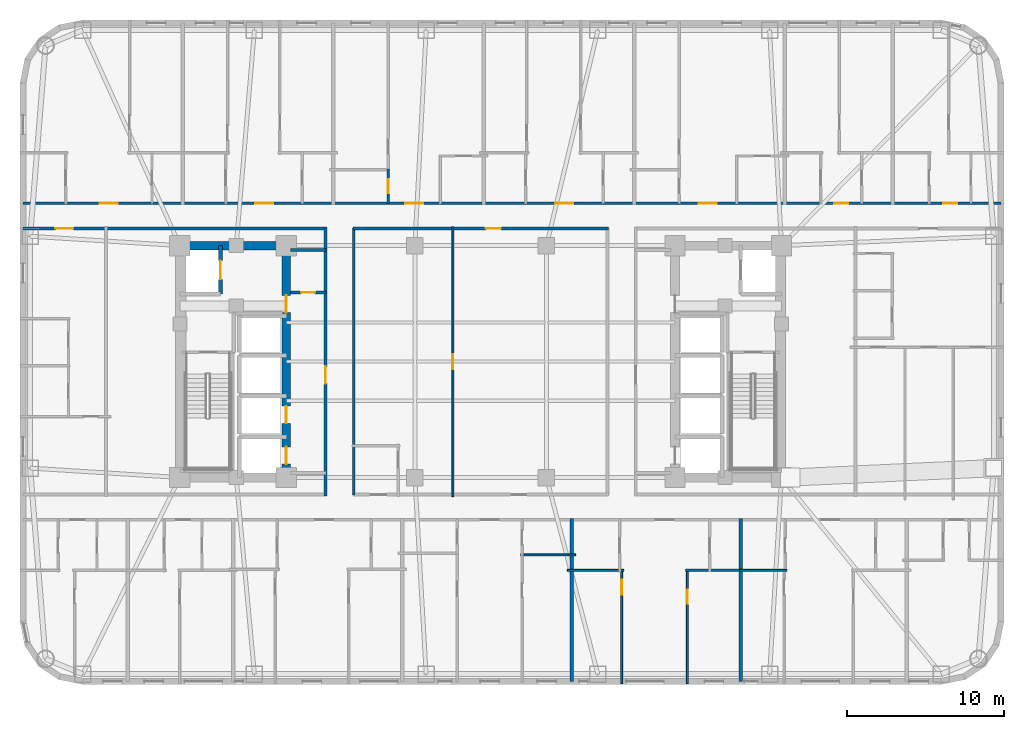
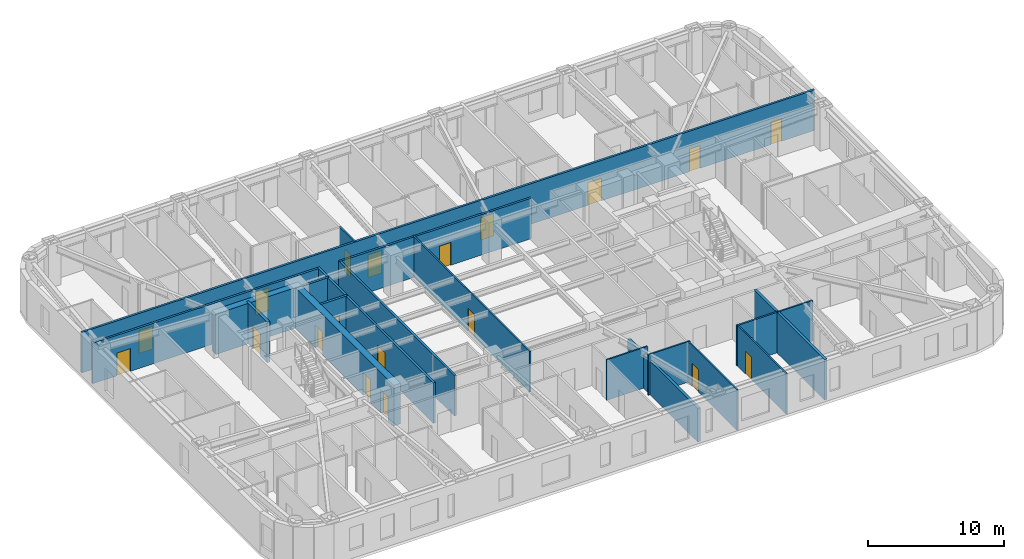
# One storey, part 5 of 11: 20 walls, 19 doors, 19 openings.
"""IFC4 building model written with IfcOpenShell, lengths in metres."""

from ifc_helpers import new_model, si_unit, direction, frame, frame_2d, origin, place, context, subcontext, project, spatial, rectangle, extrude, material, layer, layer_set, type_object, element, fill, save


model = new_model("IFC4")

# Units and contexts
model_context = context("Model", 3, precision=1e-05, world=origin(), true_north=direction((0.0, 1.0)))
body_context = subcontext(model_context, "Body", "Model", "MODEL_VIEW")
ifc_project = project(units=[si_unit("LENGTHUNIT", "METRE"), si_unit("AREAUNIT", "SQUARE_METRE"), si_unit("VOLUMEUNIT", "CUBIC_METRE"), si_unit("PLANEANGLEUNIT", "RADIAN"), si_unit("MASSUNIT", "GRAM", prefix="KILO")], contexts=[model_context])

# Site, building, storey
site_placement = place(None, origin())
site = spatial("IfcSite", under=ifc_project, at=site_placement, CompositionType="ELEMENT")
building_placement = place(site_placement, origin())
building = spatial("IfcBuilding", under=site, at=building_placement, Name="Voryun Gate Residences", CompositionType="ELEMENT")
storey_placement = place(building_placement, frame((0.0, 0.0, 97.5)))
storey = spatial("IfcBuildingStorey", under=building, at=storey_placement, Name="L23", CompositionType="ELEMENT", Elevation=97.5)

# Wall
ifc_material_1 = material(Name="Concrete C60/75", Category="concrete")
ifc_layer_1 = layer(ifc_material_1, 0.550048828125, Name="CW_CORE_550")
ifc_layer_set_1 = layer_set([ifc_layer_1], Name="Concrete C60/75")
wall_type_1 = type_object("IfcWallType", Name="CW_CORE_550", PredefinedType="SHEAR", material=ifc_layer_set_1)
wall_1_placement = place(storey_placement, frame((-19.47509765625, 7.39990234375, 0.0), z_axis=(0.0, 0.0, 1.0), x_axis=(1.0, 0.0, 0.0)))
element("IfcWall", 1, at=wall_1_placement, inside=storey, type_object=wall_type_1, Name="L23 Core shear wall CW-L23-WN", PredefinedType="SHEAR", context=body_context, shape_type="SweptSolid", body=[
    extrude(rectangle(XDim=7.35009765625, YDim=0.550048828125, at=frame_2d((3.675048828125, 0.0))), origin(), (0.0, 0.0, 1.0), 3.64990234375),
])

# Wall, openings, doors
wall_2_placement = place(storey_placement, frame((-12.39990234375, -7.39990234375, 0.0), z_axis=(0.0, 0.0, 1.0), x_axis=(0.0, 1.0, 0.0)))
wall_2 = element("IfcWall", 2, at=wall_2_placement, inside=storey, type_object=wall_type_1, Name="L23 Core shear wall CW-L23-WE", PredefinedType="SHEAR", context=body_context, shape_type="SweptSolid", body=[
    extrude(rectangle(XDim=14.7998046875, YDim=0.550048828125, at=frame_2d((7.39990234375, 0.0))), origin(), (0.0, 0.0, 1.0), 3.64990234375),
])
opening_1_placement = place(wall_2_placement, frame((0.85009765625, 0.0, 0.0)))
opening_1 = element("IfcOpeningElement", 3, at=opening_1_placement, cuts=wall_2, Name="Opening LD2", PredefinedType="OPENING", context=body_context, shape_type="SweptSolid", body=[
    extrude(rectangle(XDim=1.10009765625, YDim=2.050048828125, at=frame_2d((0.550048828125, 1.02490234375))), frame((0.0, 0.284912109375, 0.0), z_axis=(0.0, -1.0, 0.0), x_axis=(1.0, 0.0, 0.0)), (0.0, 0.0, 1.0), 0.570068359375),
])
opening_2_placement = place(wall_2_placement, frame((3.449951171875, 0.0, 0.0)))
opening_2 = element("IfcOpeningElement", 4, at=opening_2_placement, cuts=wall_2, Name="Opening LD2", PredefinedType="OPENING", context=body_context, shape_type="SweptSolid", body=[
    extrude(rectangle(XDim=1.10009765625, YDim=2.050048828125, at=frame_2d((0.550048828125, 1.02490234375))), frame((0.0, 0.284912109375, 0.0), z_axis=(0.0, -1.0, 0.0), x_axis=(1.0, 0.0, 0.0)), (0.0, 0.0, 1.0), 0.570068359375),
])
opening_3_placement = place(wall_2_placement, frame((10.530029296875, 0.0, 0.0)))
opening_3 = element("IfcOpeningElement", 5, at=opening_3_placement, cuts=wall_2, Name="Opening D-FD60-2", PredefinedType="OPENING", context=body_context, shape_type="SweptSolid", body=[
    extrude(rectangle(XDim=1.10009765625, YDim=2.050048828125, at=frame_2d((0.550048828125, 1.02490234375))), frame((0.0, 0.284912109375, 0.0), z_axis=(0.0, -1.0, 0.0), x_axis=(1.0, 0.0, 0.0)), (0.0, 0.0, 1.0), 0.570068359375),
])
ifc_material_2 = material(Name="Painted steel fire door", Category="steel")
door_type_1 = type_object("IfcDoorType", Name="DR_FD60_FFLOB_1100", OperationType="NOTDEFINED", PredefinedType="DOOR", material=ifc_material_2)
door_1_placement = place(opening_3_placement, origin())
door_1 = element("IfcDoor", 6, at=door_1_placement, inside=storey, type_object=door_type_1, Name="Door DR-L23-CLOB-W", OperationType="SINGLE_SWING_LEFT", OverallHeight=2.050048828125, OverallWidth=1.10009765625, PredefinedType="DOOR", context=body_context, shape_type="SweptSolid", body=[
    extrude(rectangle(XDim=1.10009765625, YDim=2.050048828125, at=frame_2d((0.550048828125, 1.02490234375))), frame((0.0, 0.02490234375, 0.0), z_axis=(0.0, -1.0, 0.0), x_axis=(1.0, 0.0, 0.0)), (0.0, 0.0, 1.0), 0.050048828125),
])
fill(opening_3, door_1)
ifc_material_3 = material(Name="Anodised aluminium", Category="aluminium")
door_type_2 = type_object("IfcDoorType", Name="DR_LD_PASS_1100", OperationType="NOTDEFINED", PredefinedType="DOOR", material=ifc_material_3)
door_2_placement = place(opening_1_placement, origin())
door_2 = element("IfcDoor", 7, at=door_2_placement, inside=storey, type_object=door_type_2, Name="Lift EL-P1 sliding landing door L23", OperationType="SLIDING_TO_LEFT", OverallHeight=2.050048828125, OverallWidth=1.10009765625, PredefinedType="DOOR", context=body_context, shape_type="SweptSolid", body=[
    extrude(rectangle(XDim=1.10009765625, YDim=2.050048828125, at=frame_2d((0.550048828125, 1.02490234375))), frame((0.0, 0.02490234375, 0.0), z_axis=(0.0, -1.0, 0.0), x_axis=(1.0, 0.0, 0.0)), (0.0, 0.0, 1.0), 0.050048828125),
])
fill(opening_1, door_2)
door_3_placement = place(opening_2_placement, origin())
door_3 = element("IfcDoor", 8, at=door_3_placement, inside=storey, type_object=door_type_2, Name="Lift EL-P2 sliding landing door L23", OperationType="SLIDING_TO_LEFT", OverallHeight=2.050048828125, OverallWidth=1.10009765625, PredefinedType="DOOR", context=body_context, shape_type="SweptSolid", body=[
    extrude(rectangle(XDim=1.10009765625, YDim=2.050048828125, at=frame_2d((0.550048828125, 1.02490234375))), frame((0.0, 0.02490234375, 0.0), z_axis=(0.0, -1.0, 0.0), x_axis=(1.0, 0.0, 0.0)), (0.0, 0.0, 1.0), 0.050048828125),
])
fill(opening_2, door_3)

# Wall
ifc_material_4 = material(Name="Gypsum acoustic fireboard")
ifc_layer_2 = layer(ifc_material_4, 0.179931640625, Name="W_CORR_RATED_180")
ifc_layer_set_2 = layer_set([ifc_layer_2], Name="Gypsum acoustic fireboard")
wall_type_2 = type_object("IfcWallType", Name="W_CORR_RATED_180", PredefinedType="PARTITIONING", material=ifc_layer_set_2)
wall_3_placement = place(storey_placement, frame((-12.14990234375, 7.1201171875, 0.0), z_axis=(0.0, 0.0, 1.0), x_axis=(1.0, 0.0, 0.0)))
element("IfcWall", 9, at=wall_3_placement, inside=storey, type_object=wall_type_2, Name="Partition wall WP-L23-PLBN-W", PredefinedType="PARTITIONING", context=body_context, shape_type="SweptSolid", body=[
    extrude(rectangle(XDim=2.27001953125, YDim=0.179931640625, at=frame_2d((1.135009765625, 0.0))), origin(), (0.0, 0.0, 1.0), 3.64990234375),
])

# Wall, opening, door
wall_4_placement = place(storey_placement, frame((-9.89990234375, -8.580078125, 0.0), z_axis=(0.0, 0.0, 1.0), x_axis=(0.0, 1.0, 0.0)))
wall_4 = element("IfcWall", 10, at=wall_4_placement, inside=storey, type_object=wall_type_2, Name="Partition wall WP-L23-PLBW-FULL", PredefinedType="PARTITIONING", context=body_context, shape_type="SweptSolid", body=[
    extrude(rectangle(XDim=17.16015625, YDim=0.179931640625, at=frame_2d((8.580078125, 0.0))), origin(), (0.0, 0.0, 1.0), 3.64990234375),
])
opening_4_placement = place(wall_4_placement, frame((7.172119140625, 0.0, 0.0)))
opening_4 = element("IfcOpeningElement", 11, at=opening_4_placement, cuts=wall_4, Name="Opening D-FD60-2", PredefinedType="OPENING", context=body_context, shape_type="SweptSolid", body=[
    extrude(rectangle(XDim=1.10009765625, YDim=2.050048828125, at=frame_2d((0.550048828125, 1.02490234375))), frame((0.0, 0.099853515625, 0.0), z_axis=(0.0, -1.0, 0.0), x_axis=(1.0, 0.0, 0.0)), (0.0, 0.0, 1.0), 0.199951171875),
])
door_4_placement = place(opening_4_placement, origin())
door_4 = element("IfcDoor", 12, at=door_4_placement, inside=storey, type_object=door_type_1, Name="Door DR-L23-PLBW-COR", OperationType="SINGLE_SWING_LEFT", OverallHeight=2.050048828125, OverallWidth=1.10009765625, PredefinedType="DOOR", context=body_context, shape_type="SweptSolid", body=[
    extrude(rectangle(XDim=1.10009765625, YDim=2.050048828125, at=frame_2d((0.550048828125, 1.02490234375))), frame((0.0, 0.02490234375, 0.0), z_axis=(0.0, -1.0, 0.0), x_axis=(1.0, 0.0, 0.0)), (0.0, 0.0, 1.0), 0.050048828125),
])
fill(opening_4, door_4)

wall_5_placement = place(storey_placement, frame((-29.2099609375, 8.489990234375, 0.0), z_axis=(0.0, 0.0, 1.0), x_axis=(1.0, 0.0, 0.0)))
wall_5 = element("IfcWall", 13, at=wall_5_placement, inside=storey, type_object=wall_type_2, Name="Partition wall WP-L23-CWING-WN", PredefinedType="PARTITIONING", context=body_context, shape_type="SweptSolid", body=[
    extrude(rectangle(XDim=19.330078125, YDim=0.179931640625, at=frame_2d((9.6650390625, 0.0))), origin(), (0.0, 0.0, 1.0), 3.64990234375),
])
opening_5_placement = place(wall_5_placement, frame((2.0654296875, 0.0, 0.0)))
opening_5 = element("IfcOpeningElement", 14, at=opening_5_placement, cuts=wall_5, Name="Opening D-UNIT-1", PredefinedType="OPENING", context=body_context, shape_type="SweptSolid", body=[
    extrude(rectangle(XDim=1.14990234375, YDim=2.050048828125, at=frame_2d((0.574951171875, 1.02490234375))), frame((0.0, 0.099853515625, 0.0), z_axis=(0.0, -1.0, 0.0), x_axis=(1.0, 0.0, 0.0)), (0.0, 0.0, 1.0), 0.199951171875),
])
ifc_material_5 = material(Name="Armoured timber-clad fire door", Category="wood")
door_type_3 = type_object("IfcDoorType", Name="DR_UNIT_ENTRY_1150", OperationType="NOTDEFINED", PredefinedType="DOOR", material=ifc_material_5)
door_5_placement = place(opening_5_placement, origin())
door_5 = element("IfcDoor", 15, at=door_5_placement, inside=storey, type_object=door_type_3, Name="Door DR-L23-WE1N", OperationType="SINGLE_SWING_LEFT", OverallHeight=2.050048828125, OverallWidth=1.14990234375, PredefinedType="DOOR", context=body_context, shape_type="SweptSolid", body=[
    extrude(rectangle(XDim=1.14990234375, YDim=2.050048828125, at=frame_2d((0.574951171875, 1.02490234375))), frame((0.0, 0.02490234375, 0.0), z_axis=(0.0, -1.0, 0.0), x_axis=(1.0, 0.0, 0.0)), (0.0, 0.0, 1.0), 0.050048828125),
])
fill(opening_5, door_5)

wall_6_placement = place(storey_placement, frame((-8.14990234375, 8.489990234375, 0.0), z_axis=(0.0, 0.0, 1.0), x_axis=(1.0, 0.0, 0.0)))
wall_6 = element("IfcWall", 16, at=wall_6_placement, inside=storey, type_object=wall_type_2, Name="Partition wall WP-L23-Z1N", PredefinedType="PARTITIONING", context=body_context, shape_type="SweptSolid", body=[
    extrude(rectangle(XDim=16.2998046875, YDim=0.179931640625, at=frame_2d((8.14990234375, 0.0))), origin(), (0.0, 0.0, 1.0), 3.64990234375),
])
opening_6_placement = place(wall_6_placement, frame((8.489990234375, 0.0, 0.0)))
opening_6 = element("IfcOpeningElement", 17, at=opening_6_placement, cuts=wall_6, Name="Opening D-INT-1", PredefinedType="OPENING", context=body_context, shape_type="SweptSolid", body=[
    extrude(rectangle(XDim=0.949951171875, YDim=2.050048828125, at=frame_2d((0.47509765625, 1.02490234375))), frame((0.0, 0.099853515625, 0.0), z_axis=(0.0, -1.0, 0.0), x_axis=(1.0, 0.0, 0.0)), (0.0, 0.0, 1.0), 0.199951171875),
])
ifc_material_6 = material(Name="Architectural oak veneer")
door_type_4 = type_object("IfcDoorType", Name="DR_INT_ROOM_950", OperationType="NOTDEFINED", PredefinedType="DOOR", material=ifc_material_6)
door_6_placement = place(opening_6_placement, origin())
door_6 = element("IfcDoor", 18, at=door_6_placement, inside=storey, type_object=door_type_4, Name="Door DR-L23-CMIDZ1N", OperationType="SINGLE_SWING_LEFT", OverallHeight=2.050048828125, OverallWidth=0.949951171875, PredefinedType="DOOR", context=body_context, shape_type="SweptSolid", body=[
    extrude(rectangle(XDim=0.949951171875, YDim=2.050048828125, at=frame_2d((0.47509765625, 1.02490234375))), frame((0.0, 0.02490234375, 0.0), z_axis=(0.0, -1.0, 0.0), x_axis=(1.0, 0.0, 0.0)), (0.0, 0.0, 1.0), 0.050048828125),
])
fill(opening_6, door_6)

# Wall
wall_7_placement = place(storey_placement, frame((-8.10009765625, -8.530029296875, 0.0), z_axis=(0.0, 0.0, 1.0), x_axis=(0.0, 1.0, 0.0)))
element("IfcWall", 19, at=wall_7_placement, inside=storey, type_object=wall_type_2, Name="Partition wall WP-L23-Z1W", PredefinedType="PARTITIONING", context=body_context, shape_type="SweptSolid", body=[
    extrude(rectangle(XDim=17.06005859375, YDim=0.179931640625, at=frame_2d((8.530029296875, 0.0))), origin(), (0.0, 0.0, 1.0), 3.64990234375),
])

# Wall, openings, doors
wall_8_placement = place(storey_placement, frame((-29.2099609375, 10.10009765625, 0.0), z_axis=(0.0, 0.0, 1.0), x_axis=(1.0, 0.0, 0.0)))
wall_8 = element("IfcWall", 20, at=wall_8_placement, inside=storey, type_object=wall_type_2, Name="Partition wall WP-L23-NCORR", PredefinedType="PARTITIONING", context=body_context, shape_type="SweptSolid", body=[
    extrude(rectangle(XDim=62.419921875, YDim=0.179931640625, at=frame_2d((31.2099609375, 0.0))), origin(), (0.0, 0.0, 1.0), 3.64990234375),
])
opening_7_placement = place(wall_8_placement, frame((4.905517578125, 0.0, 0.0)))
opening_7 = element("IfcOpeningElement", 21, at=opening_7_placement, cuts=wall_8, Name="Opening D-UNIT-1", PredefinedType="OPENING", context=body_context, shape_type="SweptSolid", body=[
    extrude(rectangle(XDim=1.14990234375, YDim=2.050048828125, at=frame_2d((0.574951171875, 1.02490234375))), frame((0.0, 0.099853515625, 0.0), z_axis=(0.0, -1.0, 0.0), x_axis=(1.0, 0.0, 0.0)), (0.0, 0.0, 1.0), 0.199951171875),
])
opening_8_placement = place(wall_8_placement, frame((14.8115234375, 0.0, 0.0)))
opening_8 = element("IfcOpeningElement", 22, at=opening_8_placement, cuts=wall_8, Name="Opening D-UNIT-1", PredefinedType="OPENING", context=body_context, shape_type="SweptSolid", body=[
    extrude(rectangle(XDim=1.14990234375, YDim=2.050048828125, at=frame_2d((0.574951171875, 1.02490234375))), frame((0.0, 0.099853515625, 0.0), z_axis=(0.0, -1.0, 0.0), x_axis=(1.0, 0.0, 0.0)), (0.0, 0.0, 1.0), 0.199951171875),
])
opening_9_placement = place(wall_8_placement, frame((24.405517578125, 0.0, 0.0)))
opening_9 = element("IfcOpeningElement", 23, at=opening_9_placement, cuts=wall_8, Name="Opening D-UNIT-1", PredefinedType="OPENING", context=body_context, shape_type="SweptSolid", body=[
    extrude(rectangle(XDim=1.14990234375, YDim=2.050048828125, at=frame_2d((0.574951171875, 1.02490234375))), frame((0.0, 0.099853515625, 0.0), z_axis=(0.0, -1.0, 0.0), x_axis=(1.0, 0.0, 0.0)), (0.0, 0.0, 1.0), 0.199951171875),
])
opening_10_placement = place(wall_8_placement, frame((33.980712890625, 0.0, 0.0)))
opening_10 = element("IfcOpeningElement", 24, at=opening_10_placement, cuts=wall_8, Name="Opening D-UNIT-1", PredefinedType="OPENING", context=body_context, shape_type="SweptSolid", body=[
    extrude(rectangle(XDim=1.14990234375, YDim=2.050048828125, at=frame_2d((0.574951171875, 1.02490234375))), frame((0.0, 0.099853515625, 0.0), z_axis=(0.0, -1.0, 0.0), x_axis=(1.0, 0.0, 0.0)), (0.0, 0.0, 1.0), 0.199951171875),
])
opening_11_placement = place(wall_8_placement, frame((43.1376953125, 0.0, 0.0)))
opening_11 = element("IfcOpeningElement", 25, at=opening_11_placement, cuts=wall_8, Name="Opening D-UNIT-1", PredefinedType="OPENING", context=body_context, shape_type="SweptSolid", body=[
    extrude(rectangle(XDim=1.14990234375, YDim=2.050048828125, at=frame_2d((0.574951171875, 1.02490234375))), frame((0.0, 0.099853515625, 0.0), z_axis=(0.0, -1.0, 0.0), x_axis=(1.0, 0.0, 0.0)), (0.0, 0.0, 1.0), 0.199951171875),
])
opening_12_placement = place(wall_8_placement, frame((51.77685546875, 0.0, 0.0)))
opening_12 = element("IfcOpeningElement", 26, at=opening_12_placement, cuts=wall_8, Name="Opening D-INT-2", PredefinedType="OPENING", context=body_context, shape_type="SweptSolid", body=[
    extrude(rectangle(XDim=0.89990234375, YDim=2.050048828125, at=frame_2d((0.449951171875, 1.02490234375))), frame((0.0, 0.099853515625, 0.0), z_axis=(0.0, -1.0, 0.0), x_axis=(1.0, 0.0, 0.0)), (0.0, 0.0, 1.0), 0.199951171875),
])
opening_13_placement = place(wall_8_placement, frame((58.718017578125, 0.0, 0.0)))
opening_13 = element("IfcOpeningElement", 27, at=opening_13_placement, cuts=wall_8, Name="Opening D-INT-2", PredefinedType="OPENING", context=body_context, shape_type="SweptSolid", body=[
    extrude(rectangle(XDim=0.89990234375, YDim=2.050048828125, at=frame_2d((0.449951171875, 1.02490234375))), frame((0.0, 0.099853515625, 0.0), z_axis=(0.0, -1.0, 0.0), x_axis=(1.0, 0.0, 0.0)), (0.0, 0.0, 1.0), 0.199951171875),
])
ifc_material_7 = material(Name="Architectural oak veneer")
door_type_5 = type_object("IfcDoorType", Name="DR_INT_BATH_900", OperationType="NOTDEFINED", PredefinedType="DOOR", material=ifc_material_7)
door_7_placement = place(opening_12_placement, origin())
door_7 = element("IfcDoor", 28, at=door_7_placement, inside=storey, type_object=door_type_5, Name="Door DR-L23-NENT-6", OperationType="SINGLE_SWING_RIGHT", OverallHeight=2.050048828125, OverallWidth=0.89990234375, PredefinedType="DOOR", context=body_context, shape_type="SweptSolid", body=[
    extrude(rectangle(XDim=0.89990234375, YDim=2.050048828125, at=frame_2d((0.449951171875, 1.02490234375))), frame((0.0, 0.02490234375, 0.0), z_axis=(0.0, -1.0, 0.0), x_axis=(1.0, 0.0, 0.0)), (0.0, 0.0, 1.0), 0.050048828125),
])
fill(opening_12, door_7)
door_8_placement = place(opening_13_placement, origin())
door_8 = element("IfcDoor", 29, at=door_8_placement, inside=storey, type_object=door_type_5, Name="Door DR-L23-NENT-7", OperationType="SINGLE_SWING_LEFT", OverallHeight=2.050048828125, OverallWidth=0.89990234375, PredefinedType="DOOR", context=body_context, shape_type="SweptSolid", body=[
    extrude(rectangle(XDim=0.89990234375, YDim=2.050048828125, at=frame_2d((0.449951171875, 1.02490234375))), frame((0.0, 0.02490234375, 0.0), z_axis=(0.0, -1.0, 0.0), x_axis=(1.0, 0.0, 0.0)), (0.0, 0.0, 1.0), 0.050048828125),
])
fill(opening_13, door_8)
door_9_placement = place(opening_7_placement, origin())
door_9 = element("IfcDoor", 30, at=door_9_placement, inside=storey, type_object=door_type_3, Name="Door DR-L23-NENT-1", OperationType="SINGLE_SWING_LEFT", OverallHeight=2.050048828125, OverallWidth=1.14990234375, PredefinedType="DOOR", context=body_context, shape_type="SweptSolid", body=[
    extrude(rectangle(XDim=1.14990234375, YDim=2.050048828125, at=frame_2d((0.574951171875, 1.02490234375))), frame((0.0, 0.02490234375, 0.0), z_axis=(0.0, -1.0, 0.0), x_axis=(1.0, 0.0, 0.0)), (0.0, 0.0, 1.0), 0.050048828125),
])
fill(opening_7, door_9)
door_10_placement = place(opening_8_placement, origin())
door_10 = element("IfcDoor", 31, at=door_10_placement, inside=storey, type_object=door_type_3, Name="Door DR-L23-NENT-2", OperationType="SINGLE_SWING_RIGHT", OverallHeight=2.050048828125, OverallWidth=1.14990234375, PredefinedType="DOOR", context=body_context, shape_type="SweptSolid", body=[
    extrude(rectangle(XDim=1.14990234375, YDim=2.050048828125, at=frame_2d((0.574951171875, 1.02490234375))), frame((0.0, 0.02490234375, 0.0), z_axis=(0.0, -1.0, 0.0), x_axis=(1.0, 0.0, 0.0)), (0.0, 0.0, 1.0), 0.050048828125),
])
fill(opening_8, door_10)
door_11_placement = place(opening_9_placement, origin())
door_11 = element("IfcDoor", 32, at=door_11_placement, inside=storey, type_object=door_type_3, Name="Door DR-L23-NENT-3", OperationType="SINGLE_SWING_LEFT", OverallHeight=2.050048828125, OverallWidth=1.14990234375, PredefinedType="DOOR", context=body_context, shape_type="SweptSolid", body=[
    extrude(rectangle(XDim=1.14990234375, YDim=2.050048828125, at=frame_2d((0.574951171875, 1.02490234375))), frame((0.0, 0.02490234375, 0.0), z_axis=(0.0, -1.0, 0.0), x_axis=(1.0, 0.0, 0.0)), (0.0, 0.0, 1.0), 0.050048828125),
])
fill(opening_9, door_11)
door_12_placement = place(opening_10_placement, origin())
door_12 = element("IfcDoor", 33, at=door_12_placement, inside=storey, type_object=door_type_3, Name="Door DR-L23-NENT-4", OperationType="SINGLE_SWING_RIGHT", OverallHeight=2.050048828125, OverallWidth=1.14990234375, PredefinedType="DOOR", context=body_context, shape_type="SweptSolid", body=[
    extrude(rectangle(XDim=1.14990234375, YDim=2.050048828125, at=frame_2d((0.574951171875, 1.02490234375))), frame((0.0, 0.02490234375, 0.0), z_axis=(0.0, -1.0, 0.0), x_axis=(1.0, 0.0, 0.0)), (0.0, 0.0, 1.0), 0.050048828125),
])
fill(opening_10, door_12)
door_13_placement = place(opening_11_placement, origin())
door_13 = element("IfcDoor", 34, at=door_13_placement, inside=storey, type_object=door_type_3, Name="Door DR-L23-NENT-5", OperationType="SINGLE_SWING_LEFT", OverallHeight=2.050048828125, OverallWidth=1.14990234375, PredefinedType="DOOR", context=body_context, shape_type="SweptSolid", body=[
    extrude(rectangle(XDim=1.14990234375, YDim=2.050048828125, at=frame_2d((0.574951171875, 1.02490234375))), frame((0.0, 0.02490234375, 0.0), z_axis=(0.0, -1.0, 0.0), x_axis=(1.0, 0.0, 0.0)), (0.0, 0.0, 1.0), 0.050048828125),
])
fill(opening_11, door_13)

# Wall, opening, door
ifc_material_8 = material(Name="Concrete C40/50", Category="concrete")
ifc_layer_3 = layer(ifc_material_8, 0.199951171875, Name="W_FF_LOBBY_200")
ifc_layer_set_3 = layer_set([ifc_layer_3], Name="Concrete C40/50")
wall_type_3 = type_object("IfcWallType", Name="W_FF_LOBBY_200", PredefinedType="PARTITIONING", material=ifc_layer_set_3)
wall_9_placement = place(storey_placement, frame((-12.14990234375, 4.409912109375, 0.0), z_axis=(0.0, 0.0, 1.0), x_axis=(1.0, 0.0, 0.0)))
wall_9 = element("IfcWall", 35, at=wall_9_placement, inside=storey, type_object=wall_type_3, Name="Partition wall WP-L23-CSFLKS-W", PredefinedType="PARTITIONING", context=body_context, shape_type="SweptSolid", body=[
    extrude(rectangle(XDim=2.27001953125, YDim=0.199951171875, at=frame_2d((1.135009765625, 0.0))), origin(), (0.0, 0.0, 1.0), 3.64990234375),
])
opening_14_placement = place(wall_9_placement, frame((0.68505859375, 0.0, 0.0)))
opening_14 = element("IfcOpeningElement", 36, at=opening_14_placement, cuts=wall_9, Name="Opening D-FD60-4", PredefinedType="OPENING", context=body_context, shape_type="SweptSolid", body=[
    extrude(rectangle(XDim=0.89990234375, YDim=2.050048828125, at=frame_2d((0.449951171875, 1.02490234375))), frame((0.0, 0.110107421875, 0.0), z_axis=(0.0, -1.0, 0.0), x_axis=(1.0, 0.0, 0.0)), (0.0, 0.0, 1.0), 0.219970703125),
])
ifc_material_9 = material(Name="Painted steel fire door", Category="steel")
door_type_6 = type_object("IfcDoorType", Name="DR_FD60_RISER_900", OperationType="NOTDEFINED", PredefinedType="DOOR", material=ifc_material_9)
door_14_placement = place(opening_14_placement, origin())
door_14 = element("IfcDoor", 37, at=door_14_placement, inside=storey, type_object=door_type_6, Name="Door DR-L23-CSFLK-W", OperationType="SINGLE_SWING_LEFT", OverallHeight=2.050048828125, OverallWidth=0.89990234375, PredefinedType="DOOR", context=body_context, shape_type="SweptSolid", body=[
    extrude(rectangle(XDim=0.89990234375, YDim=2.050048828125, at=frame_2d((0.449951171875, 1.02490234375))), frame((0.0, 0.02490234375, 0.0), z_axis=(0.0, -1.0, 0.0), x_axis=(1.0, 0.0, 0.0)), (0.0, 0.0, 1.0), 0.050048828125),
])
fill(opening_14, door_14)

# Walls
ifc_material_10 = material(Name="Concrete C40/50", Category="concrete")
ifc_layer_4 = layer(ifc_material_10, 0.219970703125, Name="W_PARTY_ACOUSTIC_220")
ifc_layer_set_4 = layer_set([ifc_layer_4], Name="Concrete C40/50")
wall_type_4 = type_object("IfcWallType", Name="W_PARTY_ACOUSTIC_220", PredefinedType="PARTITIONING", material=ifc_layer_set_4)
wall_10_placement = place(storey_placement, frame((5.800048828125, -20.409912109375, 0.0), z_axis=(0.0, 0.0, 1.0), x_axis=(0.0, 1.0, 0.0)))
element("IfcWall", 38, at=wall_10_placement, inside=storey, type_object=wall_type_4, Name="Partition wall WP-L23-SPTY-4", PredefinedType="PARTITIONING", context=body_context, shape_type="SweptSolid", body=[
    extrude(rectangle(XDim=10.389892578125, YDim=0.219970703125, at=frame_2d((5.19482421875, 0.0))), origin(), (0.0, 0.0, 1.0), 3.0400390625),
])
wall_11_placement = place(storey_placement, frame((16.60009765625, -20.409912109375, 0.0), z_axis=(0.0, 0.0, 1.0), x_axis=(0.0, 1.0, 0.0)))
element("IfcWall", 39, at=wall_11_placement, inside=storey, type_object=wall_type_4, Name="Partition wall WP-L23-SPTY-5", PredefinedType="PARTITIONING", context=body_context, shape_type="SweptSolid", body=[
    extrude(rectangle(XDim=10.389892578125, YDim=0.219970703125, at=frame_2d((5.19482421875, 0.0))), origin(), (0.0, 0.0, 1.0), 3.64990234375),
])

# Wall, opening, door
ifc_material_11 = material(Name="Concrete C50/60", Category="concrete")
ifc_layer_5 = layer(ifc_material_11, 0.25, Name="W_SHAFT_RC250")
ifc_layer_set_5 = layer_set([ifc_layer_5], Name="Concrete C50/60")
wall_type_5 = type_object("IfcWallType", Name="W_SHAFT_RC250", PredefinedType="SOLIDWALL", material=ifc_layer_set_5)
wall_12_placement = place(storey_placement, frame((-16.60009765625, 4.300048828125, 0.0), z_axis=(0.0, 0.0, 1.0), x_axis=(0.0, 1.0, 0.0)))
wall_12 = element("IfcWall", 40, at=wall_12_placement, inside=storey, type_object=wall_type_5, Name="Lift shaft wall WSH-L23-EL-FF-W1-E", PredefinedType="SOLIDWALL", context=body_context, shape_type="SweptSolid", body=[
    extrude(rectangle(XDim=3.099853515625, YDim=0.25, at=frame_2d((1.5498046875, 0.0))), origin(), (0.0, 0.0, 1.0), 3.64990234375),
])
opening_15_placement = place(wall_12_placement, frame((0.949951171875, 0.0, 0.0)))
opening_15 = element("IfcOpeningElement", 41, at=opening_15_placement, cuts=wall_12, Name="Opening LD1", PredefinedType="OPENING", context=body_context, shape_type="SweptSolid", body=[
    extrude(rectangle(XDim=1.199951171875, YDim=2.050048828125, at=frame_2d((0.60009765625, 1.02490234375))), frame((0.0, 0.135009765625, 0.0), z_axis=(0.0, -1.0, 0.0), x_axis=(1.0, 0.0, 0.0)), (0.0, 0.0, 1.0), 0.27001953125),
])
ifc_material_12 = material(Name="Anodised aluminium", Category="aluminium")
door_type_7 = type_object("IfcDoorType", Name="DR_LD_FF_1200", OperationType="NOTDEFINED", PredefinedType="DOOR", material=ifc_material_12)
door_15_placement = place(opening_15_placement, origin())
door_15 = element("IfcDoor", 42, at=door_15_placement, inside=storey, type_object=door_type_7, Name="Lift EL-FF-W1 sliding landing door L23", OperationType="SLIDING_TO_LEFT", OverallHeight=2.050048828125, OverallWidth=1.199951171875, PredefinedType="DOOR", context=body_context, shape_type="SweptSolid", body=[
    extrude(rectangle(XDim=1.199951171875, YDim=2.050048828125, at=frame_2d((0.60009765625, 1.02490234375))), frame((0.0, 0.02490234375, 0.0), z_axis=(0.0, -1.0, 0.0), x_axis=(1.0, 0.0, 0.0)), (0.0, 0.0, 1.0), 0.050048828125),
])
fill(opening_15, door_15)

ifc_material_13 = material(Name="Gypsum acoustic partition")
ifc_layer_6 = layer(ifc_material_13, 0.125, Name="W_UNIT_PART_125")
ifc_layer_set_6 = layer_set([ifc_layer_6], Name="Gypsum acoustic partition")
wall_type_6 = type_object("IfcWallType", Name="W_UNIT_PART_125", PredefinedType="PARTITIONING", material=ifc_layer_set_6)
wall_13_placement = place(storey_placement, frame((-1.77294921875, -8.6201171875, 0.0), z_axis=(0.0, 0.0, 1.0), x_axis=(0.0, 1.0, 0.0)))
wall_13 = element("IfcWall", 43, at=wall_13_placement, inside=storey, type_object=wall_type_6, Name="Partition wall WP-L23-MIDX-0", PredefinedType="PARTITIONING", context=body_context, shape_type="SweptSolid", body=[
    extrude(rectangle(XDim=17.240234375, YDim=0.125, at=frame_2d((8.6201171875, 0.0))), origin(), (0.0, 0.0, 1.0), 3.64990234375),
])
opening_16_placement = place(wall_13_placement, frame((8.14501953125, 0.0, 0.0)))
opening_16 = element("IfcOpeningElement", 44, at=opening_16_placement, cuts=wall_13, Name="Opening D-INT-1", PredefinedType="OPENING", context=body_context, shape_type="SweptSolid", body=[
    extrude(rectangle(XDim=0.949951171875, YDim=2.050048828125, at=frame_2d((0.47509765625, 1.02490234375))), frame((0.0, 0.072509765625, 0.0), z_axis=(0.0, -1.0, 0.0), x_axis=(1.0, 0.0, 0.0)), (0.0, 0.0, 1.0), 0.14501953125),
])
door_16_placement = place(opening_16_placement, origin())
door_16 = element("IfcDoor", 45, at=door_16_placement, inside=storey, type_object=door_type_4, Name="Door DR-L23-MIDX-0", OperationType="SINGLE_SWING_LEFT", OverallHeight=2.050048828125, OverallWidth=0.949951171875, PredefinedType="DOOR", context=body_context, shape_type="SweptSolid", body=[
    extrude(rectangle(XDim=0.949951171875, YDim=2.050048828125, at=frame_2d((0.47509765625, 1.02490234375))), frame((0.0, 0.02490234375, 0.0), z_axis=(0.0, -1.0, 0.0), x_axis=(1.0, 0.0, 0.0)), (0.0, 0.0, 1.0), 0.050048828125),
])
fill(opening_16, door_16)

# Wall
wall_14_placement = place(storey_placement, frame((2.56005859375, -12.340087890625, 0.0), z_axis=(0.0, 0.0, 1.0), x_axis=(1.0, 0.0, 0.0)))
element("IfcWall", 46, at=wall_14_placement, inside=storey, type_object=wall_type_6, Name="Partition wall WP-L23-S4-RHY", PredefinedType="PARTITIONING", context=body_context, shape_type="SweptSolid", body=[
    extrude(rectangle(XDim=3.5, YDim=0.125, at=frame_2d((1.75, 0.0))), origin(), (0.0, 0.0, 1.0), 3.64990234375),
])

# Wall, opening, door
wall_15_placement = place(storey_placement, frame((9.0, -20.56005859375, 0.0), z_axis=(0.0, 0.0, 1.0), x_axis=(0.0, 1.0, 0.0)))
wall_15 = element("IfcWall", 47, at=wall_15_placement, inside=storey, type_object=wall_type_6, Name="Partition wall WP-L23-S5-OVL", PredefinedType="PARTITIONING", context=body_context, shape_type="SweptSolid", body=[
    extrude(rectangle(XDim=7.320068359375, YDim=0.125, at=frame_2d((3.66015625, 0.0))), origin(), (0.0, 0.0, 1.0), 3.64990234375),
])
opening_17_placement = place(wall_15_placement, frame((5.673828125, 0.0, 0.0)))
opening_17 = element("IfcOpeningElement", 48, at=opening_17_placement, cuts=wall_15, Name="Opening D-INT-1", PredefinedType="OPENING", context=body_context, shape_type="SweptSolid", body=[
    extrude(rectangle(XDim=0.949951171875, YDim=2.050048828125, at=frame_2d((0.47509765625, 1.02490234375))), frame((0.0, 0.072509765625, 0.0), z_axis=(0.0, -1.0, 0.0), x_axis=(1.0, 0.0, 0.0)), (0.0, 0.0, 1.0), 0.14501953125),
])
door_17_placement = place(opening_17_placement, origin())
door_17 = element("IfcDoor", 49, at=door_17_placement, inside=storey, type_object=door_type_4, Name="Door DR-L23-S5-DB2", OperationType="SINGLE_SWING_LEFT", OverallHeight=2.050048828125, OverallWidth=0.949951171875, PredefinedType="DOOR", context=body_context, shape_type="SweptSolid", body=[
    extrude(rectangle(XDim=0.949951171875, YDim=2.050048828125, at=frame_2d((0.47509765625, 1.02490234375))), frame((0.0, 0.02490234375, 0.0), z_axis=(0.0, -1.0, 0.0), x_axis=(1.0, 0.0, 0.0)), (0.0, 0.0, 1.0), 0.050048828125),
])
fill(opening_17, door_17)

wall_16_placement = place(storey_placement, frame((13.18994140625, -20.56005859375, 0.0), z_axis=(0.0, 0.0, 1.0), x_axis=(0.0, 1.0, 0.0)))
wall_16 = element("IfcWall", 50, at=wall_16_placement, inside=storey, type_object=wall_type_6, Name="Partition wall WP-L23-S5-OVR", PredefinedType="PARTITIONING", context=body_context, shape_type="SweptSolid", body=[
    extrude(rectangle(XDim=7.320068359375, YDim=0.125, at=frame_2d((3.66015625, 0.0))), origin(), (0.0, 0.0, 1.0), 3.64990234375),
])
opening_18_placement = place(wall_16_placement, frame((5.11328125, 0.0, 0.0)))
opening_18 = element("IfcOpeningElement", 51, at=opening_18_placement, cuts=wall_16, Name="Opening D-INT-2", PredefinedType="OPENING", context=body_context, shape_type="SweptSolid", body=[
    extrude(rectangle(XDim=0.89990234375, YDim=2.050048828125, at=frame_2d((0.449951171875, 1.02490234375))), frame((0.0, 0.072509765625, 0.0), z_axis=(0.0, -1.0, 0.0), x_axis=(1.0, 0.0, 0.0)), (0.0, 0.0, 1.0), 0.14501953125),
])
door_18_placement = place(opening_18_placement, origin())
door_18 = element("IfcDoor", 52, at=door_18_placement, inside=storey, type_object=door_type_5, Name="Door DR-L23-S5-DMB", OperationType="SINGLE_SWING_RIGHT", OverallHeight=2.050048828125, OverallWidth=0.89990234375, PredefinedType="DOOR", context=body_context, shape_type="SweptSolid", body=[
    extrude(rectangle(XDim=0.89990234375, YDim=2.050048828125, at=frame_2d((0.449951171875, 1.02490234375))), frame((0.0, 0.02490234375, 0.0), z_axis=(0.0, -1.0, 0.0), x_axis=(1.0, 0.0, 0.0)), (0.0, 0.0, 1.0), 0.050048828125),
])
fill(opening_18, door_18)

# Walls
wall_17_placement = place(storey_placement, frame((5.5400390625, -13.320068359375, 0.0), z_axis=(0.0, 0.0, 1.0), x_axis=(1.0, 0.0, 0.0)))
element("IfcWall", 53, at=wall_17_placement, inside=storey, type_object=wall_type_6, Name="Partition wall WP-L23-S5-HZK", PredefinedType="PARTITIONING", context=body_context, shape_type="SweptSolid", body=[
    extrude(rectangle(XDim=3.580078125, YDim=0.125, at=frame_2d((1.7900390625, 0.0))), origin(), (0.0, 0.0, 1.0), 3.64990234375),
])
wall_18_placement = place(storey_placement, frame((16.52490234375, -13.320068359375, 0.0), z_axis=(0.0, 0.0, 1.0), x_axis=(1.0, 0.0, 0.0)))
element("IfcWall", 54, at=wall_18_placement, inside=storey, type_object=wall_type_6, Name="Partition wall WP-L23-S6-HZK", PredefinedType="PARTITIONING", context=body_context, shape_type="SweptSolid", body=[
    extrude(rectangle(XDim=3.022216796875, YDim=0.125, at=frame_2d((1.51123046875, 0.0))), origin(), (0.0, 0.0, 1.0), 3.64990234375),
])

# Wall, opening, door
ifc_material_14 = material(Name="Gypsum moisture-resistant partition")
ifc_layer_7 = layer(ifc_material_14, 0.14990234375, Name="W_WET_PLUMB_150")
ifc_layer_set_7 = layer_set([ifc_layer_7], Name="Gypsum moisture-resistant partition")
wall_type_7 = type_object("IfcWallType", Name="W_WET_PLUMB_150", PredefinedType="PLUMBINGWALL", material=ifc_layer_set_7)
wall_19_placement = place(storey_placement, frame((-5.889892578125, 10.080078125, 0.0), z_axis=(0.0, 0.0, 1.0), x_axis=(0.0, 1.0, 0.0)))
wall_19 = element("IfcWall", 55, at=wall_19_placement, inside=storey, type_object=wall_type_7, Name="Partition wall WP-L23-N3-LVX1", PredefinedType="PLUMBINGWALL", context=body_context, shape_type="SweptSolid", body=[
    extrude(rectangle(XDim=2.199951171875, YDim=0.14990234375, at=frame_2d((1.10009765625, 0.0))), origin(), (0.0, 0.0, 1.0), 3.64990234375),
])
opening_19_placement = place(wall_19_placement, frame((0.64990234375, 0.0, 0.0)))
opening_19 = element("IfcOpeningElement", 56, at=opening_19_placement, cuts=wall_19, Name="Opening D-INT-2", PredefinedType="OPENING", context=body_context, shape_type="SweptSolid", body=[
    extrude(rectangle(XDim=0.89990234375, YDim=2.050048828125, at=frame_2d((0.449951171875, 1.02490234375))), frame((0.0, 0.0849609375, 0.0), z_axis=(0.0, -1.0, 0.0), x_axis=(1.0, 0.0, 0.0)), (0.0, 0.0, 1.0), 0.169921875),
])
door_19_placement = place(opening_19_placement, origin())
door_19 = element("IfcDoor", 57, at=door_19_placement, inside=storey, type_object=door_type_5, Name="Door DR-L23-N3-DB", OperationType="SINGLE_SWING_LEFT", OverallHeight=2.050048828125, OverallWidth=0.89990234375, PredefinedType="DOOR", context=body_context, shape_type="SweptSolid", body=[
    extrude(rectangle(XDim=0.89990234375, YDim=2.050048828125, at=frame_2d((0.449951171875, 1.02490234375))), frame((0.0, 0.02490234375, 0.0), z_axis=(0.0, -1.0, 0.0), x_axis=(1.0, 0.0, 0.0)), (0.0, 0.0, 1.0), 0.050048828125),
])
fill(opening_19, door_19)

# Wall
wall_20_placement = place(storey_placement, frame((13.070068359375, -13.320068359375, 0.0), z_axis=(0.0, 0.0, 1.0), x_axis=(1.0, 0.0, 0.0)))
element("IfcWall", 58, at=wall_20_placement, inside=storey, type_object=wall_type_7, Name="Partition wall WP-L23-S5-HZB", PredefinedType="PLUMBINGWALL", context=body_context, shape_type="SweptSolid", body=[
    extrude(rectangle(XDim=3.60498046875, YDim=0.14990234375, at=frame_2d((1.802490234375, 0.0))), origin(), (0.0, 0.0, 1.0), 3.64990234375),
])

save(model, "model.ifc")
